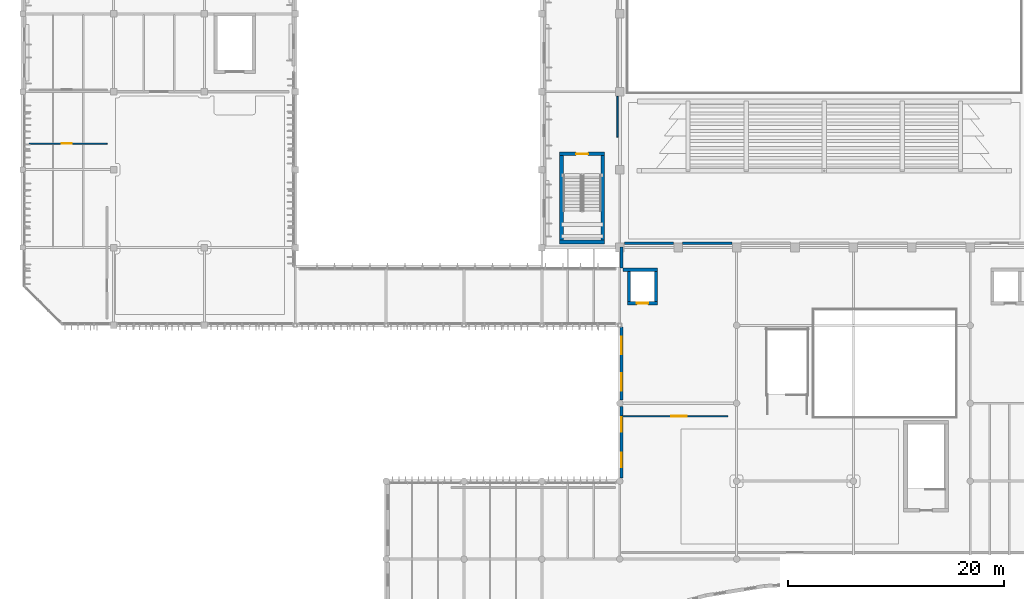
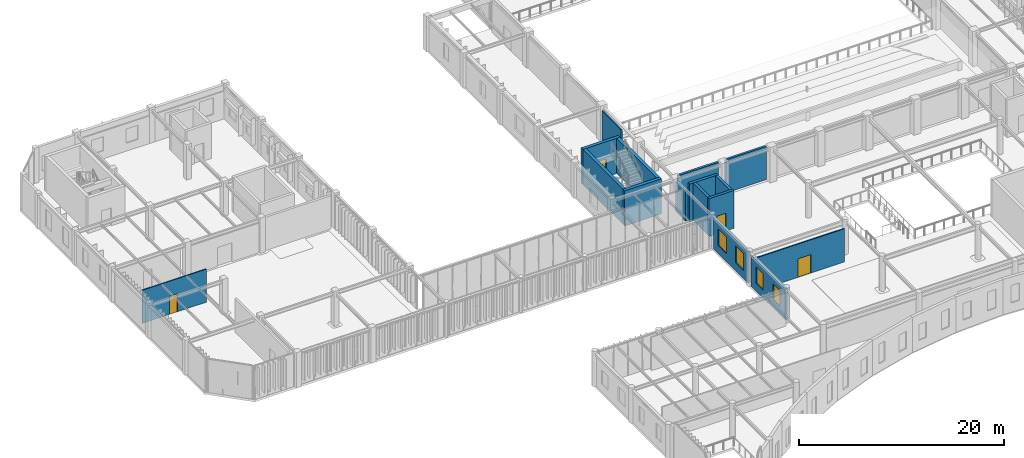
# One storey, part 38 of 104: 16 walls, 4 doors, 4 windows, 8 openings.
"""IFC4 building model written with IfcOpenShell, lengths in metres."""

from ifc_helpers import new_model, si_unit, direction, frame, frame_2d, origin, place, context, subcontext, project, spatial, rectangle, extrude, material, layer, layer_set, type_object, element, fill, save


model = new_model("IFC4")

# Units and contexts
model_context = context("Model", 3, precision=1e-05, world=origin(), true_north=direction((0.0, 1.0)))
body_context = subcontext(model_context, "Body", "Model", "MODEL_VIEW")
ifc_project = project(units=[si_unit("LENGTHUNIT", "METRE"), si_unit("AREAUNIT", "SQUARE_METRE"), si_unit("VOLUMEUNIT", "CUBIC_METRE"), si_unit("PLANEANGLEUNIT", "RADIAN"), si_unit("MASSUNIT", "GRAM", prefix="KILO")], contexts=[model_context])

# Site, building, storey
site_placement = place(None, origin())
site = spatial("IfcSite", under=ifc_project, at=site_placement, CompositionType="ELEMENT")
building_placement = place(site_placement, origin())
building = spatial("IfcBuilding", under=site, at=building_placement, Name="Tazoul Stagehouse", CompositionType="ELEMENT")
storey_placement = place(building_placement, frame((0.0, 0.0, 9.0)))
storey = spatial("IfcBuildingStorey", under=building, at=storey_placement, Name="L02", CompositionType="ELEMENT", Elevation=9.0)

# Walls
ifc_material_1 = material(Name="Gypsum Acoustic Partition", Category="gypsum")
ifc_layer_1 = layer(ifc_material_1, 0.25, Name="Gypsum Acoustic Partition")
ifc_layer_set_1 = layer_set([ifc_layer_1], Name="Gypsum Acoustic Partition")
wall_type_1 = type_object("IfcWallType", Name="Acoustic Hall Double-Stud Partition 250", PredefinedType="PARTITIONING", material=ifc_layer_set_1)
for number, where, z_axis, x_axis, name in (
    (1, (67.97998046875, 52.199951171875, 0.0), (0.0, 0.0, 1.0), (-1.0, 0.0, 0.0), "L02 Partition PW-250 (PW-RM-L02-057-S-S6)"),
    (2, (62.580078125, 52.199951171875, 0.0), (0.0, 0.0, 1.0), (-1.0, 0.0, 0.0), "L02 Partition PW-250 (PW-RM-L02-057-S-S7)"),
):
    element("IfcWall", number, at=place(storey_placement, frame(where, z_axis=z_axis, x_axis=x_axis)), inside=storey, type_object=wall_type_1, Name=name, PredefinedType="PARTITIONING", context=body_context, shape_type="SweptSolid", body=[
        extrude(rectangle(XDim=4.56005859375, YDim=0.25, at=frame_2d((2.280029296875, 0.0))), origin(), (0.0, 0.0, 1.0), 3.949951171875),
    ])
ifc_material_2 = material(Name="Concrete C40/50", Category="concrete")
ifc_layer_2 = layer(ifc_material_2, 0.35009765625, Name="Concrete C40/50")
ifc_layer_set_2 = layer_set([ifc_layer_2], Name="Concrete C40/50")
wall_type_2 = type_object("IfcWallType", Name="Core Shear Wall 350", PredefinedType="SOLIDWALL", material=ifc_layer_set_2)
wall_1_placement = place(storey_placement, frame((56.199951171875, 52.31494140625, 0.0), z_axis=(0.0, 0.0, 1.0), x_axis=(-1.0, 0.0, 0.0)))
element("IfcWall", 3, at=wall_1_placement, inside=storey, type_object=wall_type_2, Name="L02 Core Wall CW-350 (SHF-ST-05-south)", PredefinedType="SOLIDWALL", context=body_context, shape_type="SweptSolid", body=[
    extrude(rectangle(XDim=4.14990234375, YDim=0.35009765625, at=frame_2d((2.074951171875, 0.0))), origin(), (0.0, 0.0, 1.0), 4.199951171875),
])
wall_2_placement = place(storey_placement, frame((52.22509765625, 52.489990234375, 0.0), z_axis=(0.0, 0.0, 1.0), x_axis=(0.0, 1.0, 0.0)))
element("IfcWall", 4, at=wall_2_placement, inside=storey, type_object=wall_type_2, Name="L02 Core Wall CW-350 (SHF-ST-05-west)", PredefinedType="SOLIDWALL", context=body_context, shape_type="SweptSolid", body=[
    extrude(rectangle(XDim=7.800048828125, YDim=0.35009765625, at=frame_2d((3.89990234375, 0.0))), origin(), (0.0, 0.0, 1.0), 4.199951171875),
])

# Wall, opening, door
wall_3_placement = place(storey_placement, frame((52.050048828125, 60.465087890625, 0.0), z_axis=(0.0, 0.0, 1.0), x_axis=(1.0, 0.0, 0.0)))
wall_3 = element("IfcWall", 5, at=wall_3_placement, inside=storey, type_object=wall_type_2, Name="L02 Core Wall CW-350 (SHF-ST-05-north)", PredefinedType="SOLIDWALL", context=body_context, shape_type="SweptSolid", body=[
    extrude(rectangle(XDim=4.14990234375, YDim=0.35009765625, at=frame_2d((2.074951171875, 0.0))), origin(), (0.0, 0.0, 1.0), 4.199951171875),
])
opening_1_placement = place(wall_3_placement, frame((1.52490234375, 0.0, 0.0)))
opening_1 = element("IfcOpeningElement", 6, at=opening_1_placement, cuts=wall_3, Name="Opening FD-01", PredefinedType="OPENING", context=body_context, shape_type="SweptSolid", body=[
    extrude(rectangle(XDim=1.10009765625, YDim=2.14990234375, at=frame_2d((0.550048828125, 1.074951171875))), frame((0.0, 0.195068359375, 0.0), z_axis=(0.0, -1.0, 0.0), x_axis=(1.0, 0.0, 0.0)), (0.0, 0.0, 1.0), 0.39013671875),
])
ifc_material_3 = material(Name="Powder-Coated Galvanised Acoustic Steel", Category="steel")
door_type_1 = type_object("IfcDoorType", Name="Core Escape Stair Fire Door 1100x2150", OperationType="NOTDEFINED", PredefinedType="DOOR", material=ifc_material_3)
door_1_placement = place(opening_1_placement, origin())
door_1 = element("IfcDoor", 7, at=door_1_placement, inside=storey, type_object=door_type_1, Name="L02 Escape Stair Fire Door FD-01 (ST-05)", OperationType="SINGLE_SWING_RIGHT", OverallHeight=2.14990234375, OverallWidth=1.10009765625, PredefinedType="DOOR", context=body_context, shape_type="SweptSolid", body=[
    extrude(rectangle(XDim=1.10009765625, YDim=2.14990234375, at=frame_2d((0.550048828125, 1.074951171875))), frame((0.0, 0.02490234375, 0.0), z_axis=(0.0, -1.0, 0.0), x_axis=(1.0, 0.0, 0.0)), (0.0, 0.0, 1.0), 0.050048828125),
])
fill(opening_1, door_1)

# Wall
wall_4_placement = place(storey_placement, frame((56.02490234375, 60.2900390625, 0.0), z_axis=(0.0, 0.0, 1.0), x_axis=(0.0, -1.0, 0.0)))
element("IfcWall", 8, at=wall_4_placement, inside=storey, type_object=wall_type_2, Name="L02 Core Wall CW-350 (SHF-ST-05-east)", PredefinedType="SOLIDWALL", context=body_context, shape_type="SweptSolid", body=[
    extrude(rectangle(XDim=7.800048828125, YDim=0.35009765625, at=frame_2d((3.89990234375, 0.0))), origin(), (0.0, 0.0, 1.0), 4.199951171875),
])

# Wall, openings, windows
ifc_material_4 = material(Name="Precast concrete C40/50", Category="concrete")
ifc_layer_3 = layer(ifc_material_4, 0.280029296875, Name="Precast concrete C40/50")
ifc_layer_set_3 = layer_set([ifc_layer_3], Name="Precast concrete C40/50")
wall_type_3 = type_object("IfcWallType", Name="Insulated Precast Acoustic Cladding Wall 280", PredefinedType="SOLIDWALL", material=ifc_layer_set_3)
wall_5_placement = place(storey_placement, frame((57.760009765625, 30.5048828125, 0.0), z_axis=(0.0, 0.0, 1.0), x_axis=(0.0, 1.0, 0.0)))
wall_5 = element("IfcWall", 9, at=wall_5_placement, inside=storey, type_object=wall_type_3, Name="L02 Wall EW-280 (WALL-V5-THRW-L02-S1)", PredefinedType="SOLIDWALL", context=body_context, shape_type="SweptSolid", body=[
    extrude(rectangle(XDim=6.590087890625, YDim=0.280029296875, at=frame_2d((3.294921875, 0.0))), origin(), (0.0, 0.0, 1.0), 3.673095703125),
])
opening_2_placement = place(wall_5_placement, frame((0.972412109375, 0.0, 0.949951171875)))
opening_2 = element("IfcOpeningElement", 10, at=opening_2_placement, cuts=wall_5, Name="Opening WN-73", PredefinedType="OPENING", context=body_context, shape_type="SweptSolid", body=[
    extrude(rectangle(XDim=1.35009765625, YDim=1.949951171875, at=frame_2d((0.675048828125, 0.97509765625))), frame((0.0, 0.159912109375, 0.0), z_axis=(0.0, -1.0, 0.0), x_axis=(1.0, 0.0, 0.0)), (0.0, 0.0, 1.0), 0.320068359375),
])
opening_3_placement = place(wall_5_placement, frame((4.267578125, 0.0, 0.949951171875)))
opening_3 = element("IfcOpeningElement", 11, at=opening_3_placement, cuts=wall_5, Name="Opening WN-73", PredefinedType="OPENING", context=body_context, shape_type="SweptSolid", body=[
    extrude(rectangle(XDim=1.35009765625, YDim=1.949951171875, at=frame_2d((0.675048828125, 0.97509765625))), frame((0.0, 0.159912109375, 0.0), z_axis=(0.0, -1.0, 0.0), x_axis=(1.0, 0.0, 0.0)), (0.0, 0.0, 1.0), 0.320068359375),
])
ifc_material_5 = material(Name="Double Low-E Acoustic Laminated Glass", Category="glass")
window_type_1 = type_object("IfcWindowType", Name="Architectural Acoustic Facade Window 1350x1950", PartitioningType="SINGLE_PANEL", PredefinedType="WINDOW", material=ifc_material_5)
window_1_placement = place(opening_2_placement, origin())
window_1 = element("IfcWindow", 12, at=window_1_placement, inside=storey, type_object=window_type_1, Name="L02 Window WN-73 (WALL-V5-THRW-L02-S1-W1)", OverallHeight=1.949951171875, OverallWidth=1.35009765625, PartitioningType="SINGLE_PANEL", PredefinedType="WINDOW", context=body_context, shape_type="SweptSolid", body=[
    extrude(rectangle(XDim=1.35009765625, YDim=1.949951171875, at=frame_2d((0.675048828125, 0.97509765625))), frame((0.0, 0.030029296875, 0.0), z_axis=(0.0, -1.0, 0.0), x_axis=(1.0, 0.0, 0.0)), (0.0, 0.0, 1.0), 0.06005859375),
])
fill(opening_2, window_1)
window_2_placement = place(opening_3_placement, origin())
window_2 = element("IfcWindow", 13, at=window_2_placement, inside=storey, type_object=window_type_1, Name="L02 Window WN-73 (WALL-V5-THRW-L02-S1-W2)", OverallHeight=1.949951171875, OverallWidth=1.35009765625, PartitioningType="SINGLE_PANEL", PredefinedType="WINDOW", context=body_context, shape_type="SweptSolid", body=[
    extrude(rectangle(XDim=1.35009765625, YDim=1.949951171875, at=frame_2d((0.675048828125, 0.97509765625))), frame((0.0, 0.030029296875, 0.0), z_axis=(0.0, -1.0, 0.0), x_axis=(1.0, 0.0, 0.0)), (0.0, 0.0, 1.0), 0.06005859375),
])
fill(opening_3, window_2)

wall_6_placement = place(storey_placement, frame((57.760009765625, 37.705078125, 0.0), z_axis=(0.0, 0.0, 1.0), x_axis=(0.0, 1.0, 0.0)))
wall_6 = element("IfcWall", 14, at=wall_6_placement, inside=storey, type_object=wall_type_3, Name="L02 Wall EW-280 (WALL-V5-THRW-L02-S2)", PredefinedType="SOLIDWALL", context=body_context, shape_type="SweptSolid", body=[
    extrude(rectangle(XDim=6.72802734375, YDim=0.280029296875, at=frame_2d((3.364013671875, 0.0))), origin(), (0.0, 0.0, 1.0), 3.673095703125),
])
opening_4_placement = place(wall_6_placement, frame((0.8720703125, 0.0, 0.949951171875)))
opening_4 = element("IfcOpeningElement", 15, at=opening_4_placement, cuts=wall_6, Name="Opening WN-82", PredefinedType="OPENING", context=body_context, shape_type="SweptSolid", body=[
    extrude(rectangle(XDim=1.6201171875, YDim=2.0, at=frame_2d((0.81005859375, 1.0))), frame((0.0, 0.159912109375, 0.0), z_axis=(0.0, -1.0, 0.0), x_axis=(1.0, 0.0, 0.0)), (0.0, 0.0, 1.0), 0.320068359375),
])
opening_5_placement = place(wall_6_placement, frame((4.236083984375, 0.0, 0.949951171875)))
opening_5 = element("IfcOpeningElement", 16, at=opening_5_placement, cuts=wall_6, Name="Opening WN-82", PredefinedType="OPENING", context=body_context, shape_type="SweptSolid", body=[
    extrude(rectangle(XDim=1.6201171875, YDim=2.0, at=frame_2d((0.81005859375, 1.0))), frame((0.0, 0.159912109375, 0.0), z_axis=(0.0, -1.0, 0.0), x_axis=(1.0, 0.0, 0.0)), (0.0, 0.0, 1.0), 0.320068359375),
])
window_type_2 = type_object("IfcWindowType", Name="Architectural Acoustic Facade Window 1620x2000", PartitioningType="SINGLE_PANEL", PredefinedType="WINDOW", material=ifc_material_5)
window_3_placement = place(opening_4_placement, origin())
window_3 = element("IfcWindow", 17, at=window_3_placement, inside=storey, type_object=window_type_2, Name="L02 Window WN-82 (WALL-V5-THRW-L02-S2-W1)", OverallHeight=2.0, OverallWidth=1.6201171875, PartitioningType="SINGLE_PANEL", PredefinedType="WINDOW", context=body_context, shape_type="SweptSolid", body=[
    extrude(rectangle(XDim=1.6201171875, YDim=2.0, at=frame_2d((0.81005859375, 1.0))), frame((0.0, 0.030029296875, 0.0), z_axis=(0.0, -1.0, 0.0), x_axis=(1.0, 0.0, 0.0)), (0.0, 0.0, 1.0), 0.06005859375),
])
fill(opening_4, window_3)
window_4_placement = place(opening_5_placement, origin())
window_4 = element("IfcWindow", 18, at=window_4_placement, inside=storey, type_object=window_type_2, Name="L02 Window WN-82 (WALL-V5-THRW-L02-S2-W2)", OverallHeight=2.0, OverallWidth=1.6201171875, PartitioningType="SINGLE_PANEL", PredefinedType="WINDOW", context=body_context, shape_type="SweptSolid", body=[
    extrude(rectangle(XDim=1.6201171875, YDim=2.0, at=frame_2d((0.81005859375, 1.0))), frame((0.0, 0.030029296875, 0.0), z_axis=(0.0, -1.0, 0.0), x_axis=(1.0, 0.0, 0.0)), (0.0, 0.0, 1.0), 0.06005859375),
])
fill(opening_5, window_4)

# Wall
wall_7_placement = place(storey_placement, frame((57.760009765625, 49.89990234375, 0.0), z_axis=(0.0, 0.0, 1.0), x_axis=(0.0, 1.0, 0.0)))
element("IfcWall", 19, at=wall_7_placement, inside=storey, type_object=wall_type_3, Name="L02 Wall EW-280 (WALL-V5-THRW-N-L02)", PredefinedType="SOLIDWALL", context=body_context, shape_type="SweptSolid", body=[
    extrude(rectangle(XDim=1.9501953125, YDim=0.280029296875, at=frame_2d((0.97509765625, 0.0))), origin(), (0.0, 0.0, 1.0), 3.572998046875),
])

# Wall, opening, door
ifc_layer_4 = layer(ifc_material_2, 0.300048828125, Name="Concrete C40/50")
ifc_layer_set_4 = layer_set([ifc_layer_4], Name="Concrete C40/50")
wall_type_4 = type_object("IfcWallType", Name="Lift Shaft Wall 300", PredefinedType="SOLIDWALL", material=ifc_layer_set_4)
wall_8_placement = place(storey_placement, frame((61.10009765625, 46.64990234375, 0.0), z_axis=(0.0, 0.0, 1.0), x_axis=(-1.0, 0.0, 0.0)))
wall_8 = element("IfcWall", 20, at=wall_8_placement, inside=storey, type_object=wall_type_4, Name="L02 Core Wall CW-300 (LSHF-PL-01-south)", PredefinedType="SOLIDWALL", context=body_context, shape_type="SweptSolid", body=[
    extrude(rectangle(XDim=2.800048828125, YDim=0.300048828125, at=frame_2d((1.39990234375, 0.0))), origin(), (0.0, 0.0, 1.0), 4.5),
])
opening_6_placement = place(wall_8_placement, frame((0.875, 0.0, 0.0)))
opening_6 = element("IfcOpeningElement", 21, at=opening_6_placement, cuts=wall_8, Name="Opening LD-03", PredefinedType="OPENING", context=body_context, shape_type="SweptSolid", body=[
    extrude(rectangle(XDim=1.050048828125, YDim=2.10009765625, at=frame_2d((0.52490234375, 1.050048828125))), frame((0.0, 0.169921875, 0.0), z_axis=(0.0, -1.0, 0.0), x_axis=(1.0, 0.0, 0.0)), (0.0, 0.0, 1.0), 0.340087890625),
])
door_type_2 = type_object("IfcDoorType", Name="Passenger Lift Sliding Landing Door 1050x2100", OperationType="DOUBLE_DOOR_SLIDING", PredefinedType="DOOR", material=ifc_material_3)
door_2_placement = place(opening_6_placement, origin())
door_2 = element("IfcDoor", 22, at=door_2_placement, inside=storey, type_object=door_type_2, Name="L02 Lift Landing Sliding Door LD-03 (PL-01)", OperationType="DOUBLE_DOOR_SLIDING", OverallHeight=2.10009765625, OverallWidth=1.050048828125, PredefinedType="DOOR", context=body_context, shape_type="SweptSolid", body=[
    extrude(rectangle(XDim=1.050048828125, YDim=2.10009765625, at=frame_2d((0.52490234375, 1.050048828125))), frame((0.0, 0.02490234375, 0.0), z_axis=(0.0, -1.0, 0.0), x_axis=(1.0, 0.0, 0.0)), (0.0, 0.0, 1.0), 0.050048828125),
])
fill(opening_6, door_2)

# Walls
wall_9_placement = place(storey_placement, frame((58.449951171875, 46.800048828125, 0.0), z_axis=(0.0, 0.0, 1.0), x_axis=(0.0, 1.0, 0.0)))
element("IfcWall", 23, at=wall_9_placement, inside=storey, type_object=wall_type_4, Name="L02 Core Wall CW-300 (LSHF-PL-01-west)", PredefinedType="SOLIDWALL", context=body_context, shape_type="SweptSolid", body=[
    extrude(rectangle(XDim=2.800048828125, YDim=0.300048828125, at=frame_2d((1.39990234375, 0.0))), origin(), (0.0, 0.0, 1.0), 4.5),
])
wall_10_placement = place(storey_placement, frame((57.909912109375, 49.75, 0.0), z_axis=(0.0, 0.0, 1.0), x_axis=(1.0, 0.0, 0.0)))
element("IfcWall", 24, at=wall_10_placement, inside=storey, type_object=wall_type_4, Name="L02 Core Wall CW-300 (LSHF-PL-01-north)", PredefinedType="SOLIDWALL", context=body_context, shape_type="SweptSolid", body=[
    extrude(rectangle(XDim=3.190185546875, YDim=0.300048828125, at=frame_2d((1.59521484375, 0.0))), origin(), (0.0, 0.0, 1.0), 4.5),
])
wall_11_placement = place(storey_placement, frame((60.949951171875, 49.60009765625, 0.0), z_axis=(0.0, 0.0, 1.0), x_axis=(0.0, -1.0, 0.0)))
element("IfcWall", 25, at=wall_11_placement, inside=storey, type_object=wall_type_4, Name="L02 Core Wall CW-300 (LSHF-PL-01-east)", PredefinedType="SOLIDWALL", context=body_context, shape_type="SweptSolid", body=[
    extrude(rectangle(XDim=2.800048828125, YDim=0.300048828125, at=frame_2d((1.39990234375, 0.0))), origin(), (0.0, 0.0, 1.0), 4.5),
])
ifc_layer_5 = layer(ifc_material_1, 0.1298828125, Name="Gypsum Acoustic Partition")
ifc_layer_set_5 = layer_set([ifc_layer_5], Name="Gypsum Acoustic Partition")
wall_type_5 = type_object("IfcWallType", Name="Office Drywall Partition 130", PredefinedType="PARTITIONING", material=ifc_layer_set_5)
wall_12_placement = place(storey_placement, frame((57.39990234375, 65.780029296875, 0.0), z_axis=(0.0, 0.0, 1.0), x_axis=(0.0, -1.0, 0.0)))
element("IfcWall", 26, at=wall_12_placement, inside=storey, type_object=wall_type_5, Name="L02 Partition PW-130 (PW-RM-L02-121-E-S4)", PredefinedType="PARTITIONING", context=body_context, shape_type="SweptSolid", body=[
    extrude(rectangle(XDim=3.780029296875, YDim=0.1298828125, at=frame_2d((1.89013671875, 0.0))), origin(), (0.0, 0.0, 1.0), 3.64990234375),
])

# Wall, opening, door
wall_13_placement = place(storey_placement, frame((67.60009765625, 36.199951171875, 0.0), z_axis=(0.0, 0.0, 1.0), x_axis=(-1.0, 0.0, 0.0)))
wall_13 = element("IfcWall", 27, at=wall_13_placement, inside=storey, type_object=wall_type_5, Name="L02 Partition PW-130 (PW-RM-L02-127-S)", PredefinedType="PARTITIONING", context=body_context, shape_type="SweptSolid", body=[
    extrude(rectangle(XDim=9.800048828125, YDim=0.1298828125, at=frame_2d((4.89990234375, 0.0))), origin(), (0.0, 0.0, 1.0), 3.9599609375),
])
opening_7_placement = place(wall_13_placement, frame((3.8046875, 0.0, 0.0)))
opening_7 = element("IfcOpeningElement", 28, at=opening_7_placement, cuts=wall_13, Name="Opening ID-21", PredefinedType="OPENING", context=body_context, shape_type="SweptSolid", body=[
    extrude(rectangle(XDim=1.449951171875, YDim=2.199951171875, at=frame_2d((0.72509765625, 1.10009765625))), frame((0.0, 0.0849609375, 0.0), z_axis=(0.0, -1.0, 0.0), x_axis=(1.0, 0.0, 0.0)), (0.0, 0.0, 1.0), 0.169921875),
])
ifc_material_6 = material(Name="Acoustic Cedar Timber", Category="wood")
door_type_3 = type_object("IfcDoorType", Name="Press Conference Double Door 1450x2200", OperationType="DOUBLE_DOOR_SINGLE_SWING", PredefinedType="DOOR", material=ifc_material_6)
door_3_placement = place(opening_7_placement, origin())
door_3 = element("IfcDoor", 29, at=door_3_placement, inside=storey, type_object=door_type_3, Name="L02 Upper Circle West Patron Salon Door", OperationType="DOUBLE_DOOR_SINGLE_SWING", OverallHeight=2.199951171875, OverallWidth=1.449951171875, PredefinedType="DOOR", context=body_context, shape_type="SweptSolid", body=[
    extrude(rectangle(XDim=1.449951171875, YDim=2.199951171875, at=frame_2d((0.72509765625, 1.10009765625))), frame((0.0, 0.02490234375, 0.0), z_axis=(0.0, -1.0, 0.0), x_axis=(1.0, 0.0, 0.0)), (0.0, 0.0, 1.0), 0.050048828125),
])
fill(opening_7, door_3)

ifc_layer_6 = layer(ifc_material_1, 0.110107421875, Name="Gypsum Acoustic Partition")
ifc_layer_set_6 = layer_set([ifc_layer_6], Name="Gypsum Acoustic Partition")
wall_type_6 = type_object("IfcWallType", Name="Wet-Area Tile Backing Partition 110", PredefinedType="PARTITIONING", material=ifc_layer_set_6)
wall_14_placement = place(storey_placement, frame((3.0, 61.39990234375, 0.0), z_axis=(0.0, 0.0, 1.0), x_axis=(1.0, 0.0, 0.0)))
wall_14 = element("IfcWall", 30, at=wall_14_placement, inside=storey, type_object=wall_type_6, Name="L02 Partition PW-110 (PW-RM-L02-068-N)", PredefinedType="PARTITIONING", context=body_context, shape_type="SweptSolid", body=[
    extrude(rectangle(XDim=7.199951171875, YDim=0.110107421875, at=frame_2d((3.60009765625, 0.0))), origin(), (0.0, 0.0, 1.0), 3.949951171875),
])
opening_8_placement = place(wall_14_placement, frame((3.0283203125, 0.0, 0.0)))
opening_8 = element("IfcOpeningElement", 31, at=opening_8_placement, cuts=wall_14, Name="Opening ID-05", PredefinedType="OPENING", context=body_context, shape_type="SweptSolid", body=[
    extrude(rectangle(XDim=0.89990234375, YDim=2.14990234375, at=frame_2d((0.449951171875, 1.074951171875))), frame((0.0, 0.074951171875, 0.0), z_axis=(0.0, -1.0, 0.0), x_axis=(1.0, 0.0, 0.0)), (0.0, 0.0, 1.0), 0.150146484375),
])
door_type_4 = type_object("IfcDoorType", Name="Office Timber Acoustic Door 900x2150", OperationType="NOTDEFINED", PredefinedType="DOOR", material=ifc_material_6)
door_4_placement = place(opening_8_placement, origin())
door_4 = element("IfcDoor", 32, at=door_4_placement, inside=storey, type_object=door_type_4, Name="L02 L02 Public Toilets WC Door", OperationType="SINGLE_SWING_LEFT", OverallHeight=2.14990234375, OverallWidth=0.89990234375, PredefinedType="DOOR", context=body_context, shape_type="SweptSolid", body=[
    extrude(rectangle(XDim=0.89990234375, YDim=2.14990234375, at=frame_2d((0.449951171875, 1.074951171875))), frame((0.0, 0.02490234375, 0.0), z_axis=(0.0, -1.0, 0.0), x_axis=(1.0, 0.0, 0.0)), (0.0, 0.0, 1.0), 0.050048828125),
])
fill(opening_8, door_4)

save(model, "model.ifc")
